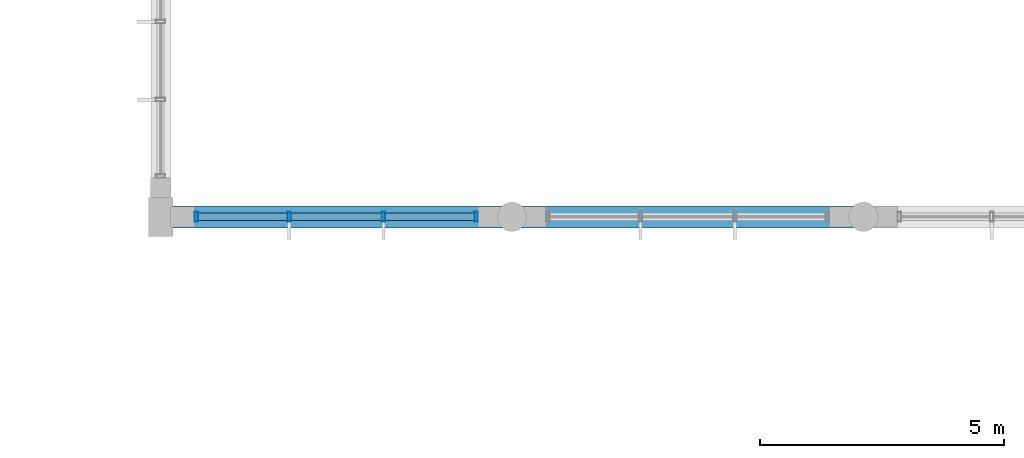
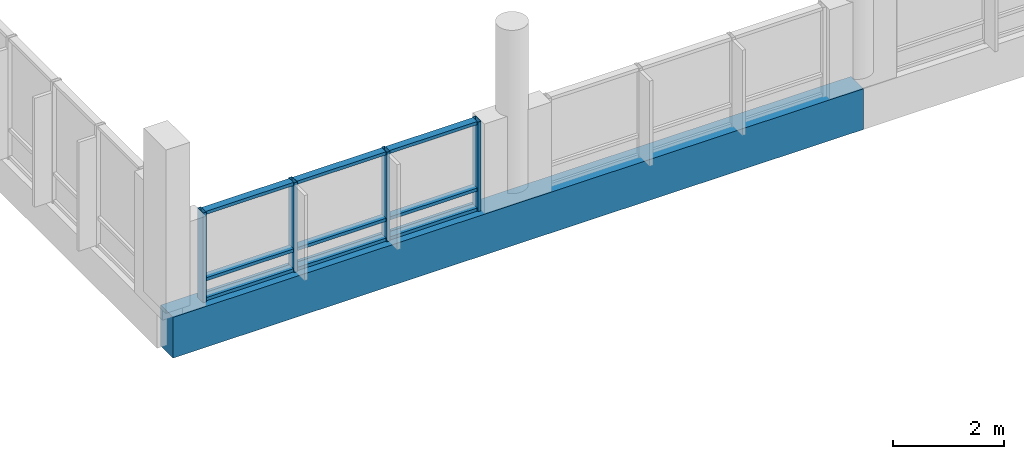
# One storey, part 21 of 189: 13 members, 1 beam, 1 element without a shape of its own.
"""IFC4 building model written with IfcOpenShell, lengths in metres."""

from ifc_helpers import new_model, si_unit, direction, frame, origin, origin_2d, place, context, subcontext, project, spatial, rectangle, hollow_rectangle, extrude, material, material_profile, profile_set, type_object, element, aggregate, save


model = new_model("IFC4")

# Units and contexts
model_context = context("Model", 3, precision=1e-05, world=origin(), true_north=direction((0.0, 1.0)))
body_context = subcontext(model_context, "Body", "Model", "MODEL_VIEW")
ifc_project = project(units=[si_unit("LENGTHUNIT", "METRE"), si_unit("AREAUNIT", "SQUARE_METRE"), si_unit("VOLUMEUNIT", "CUBIC_METRE"), si_unit("PLANEANGLEUNIT", "RADIAN"), si_unit("MASSUNIT", "GRAM", prefix="KILO")], contexts=[model_context])

# Site, building, storey
site_placement = place(None, origin())
site = spatial("IfcSite", under=ifc_project, at=site_placement, CompositionType="ELEMENT")
building_placement = place(site_placement, origin())
building = spatial("IfcBuilding", under=site, at=building_placement, Name="Zavelmont Quarter", CompositionType="ELEMENT")
storey_placement = place(building_placement, frame((0.0, 0.0, 4.39990234375)))
storey = spatial("IfcBuildingStorey", under=building, at=storey_placement, Name="L01", CompositionType="ELEMENT", Elevation=4.39990234375)

# Beam
ifc_material_1 = material(Name="Concrete C40/50", Category="concrete")
ifc_material_profile_1 = material_profile(ifc_material_1, rectangle(XDim=0.449951171875, YDim=0.89990234375, at=origin_2d()), Name="RC450X900")
ifc_profile_set_1 = profile_set([ifc_material_profile_1], Name="Concrete C40/50")
beam_type = type_object("IfcBeamType", Name="BM06", PredefinedType="BEAM", material=ifc_profile_set_1)
beam_placement = place(storey_placement, frame((55.199951171875, 30.0, -0.72998046875), z_axis=(1.0, 0.0, 0.0), x_axis=(0.0, 1.0, 0.0)))
element("IfcBeam", 1, at=beam_placement, inside=storey, type_object=beam_type, Name="L01 beam BM06 9/F to 11/F", PredefinedType="BEAM", context=body_context, shape_type="SweptSolid", body=[
    extrude(rectangle(XDim=0.449951171875, YDim=0.89990234375, at=origin_2d()), origin(), (0.0, 0.0, 1.0), 14.400146484375),
])

# Curtain wall, members
ifc_material_2 = material(Name="Thermally broken aluminium and double low-E safety glazing", Category="aluminium")
curtain_wall_type = type_object("IfcCurtainWallType", Name="CW-580X198", PredefinedType="NOTDEFINED", material=ifc_material_2)
curtain_wall_placement = place(storey_placement, origin())
curtain_wall = element("IfcCurtainWall", 2, at=curtain_wall_placement, inside=storey, type_object=curtain_wall_type, Name="L01 unitised curtain wall CW-580X198", PredefinedType="NOTDEFINED")
ifc_material_3 = material(Name="Powder-coated aluminium EN AW-6063-T6", Category="aluminium")
ifc_material_profile_2 = material_profile(ifc_material_3, hollow_rectangle(XDim=0.070068359375, YDim=0.199951171875, WallThickness=0.0048828125, at=origin_2d()), Name="CWM70X200")
ifc_profile_set_2 = profile_set([ifc_material_profile_2], Name="Powder-coated aluminium EN AW-6063-T6")
member_type_1 = type_object("IfcMemberType", Name="CWM02", PredefinedType="MULLION", material=ifc_profile_set_2)
member_1_placement = place(storey_placement, frame((55.93505859375, 30.0, -0.27978515625), z_axis=(0.0, 0.0, 1.0), x_axis=(1.0, 0.0, 0.0)))
member_1 = element("IfcMember", 3, at=member_1_placement, type_object=member_type_1, Name="CW-580X198 mullion 1", PredefinedType="MULLION", context=body_context, shape_type="SweptSolid", body=[
    extrude(hollow_rectangle(XDim=0.070068359375, YDim=0.199951171875, WallThickness=0.0048828125, at=origin_2d()), origin(), (0.0, 0.0, 1.0), 1.974853515625),
])
member_2_placement = place(storey_placement, frame((57.833251953125, 30.0, -0.27978515625), z_axis=(0.0, 0.0, 1.0), x_axis=(1.0, 0.0, 0.0)))
member_2 = element("IfcMember", 4, at=member_2_placement, type_object=member_type_1, Name="CW-580X198 mullion 2", PredefinedType="MULLION", context=body_context, shape_type="SweptSolid", body=[
    extrude(hollow_rectangle(XDim=0.070068359375, YDim=0.199951171875, WallThickness=0.0048828125, at=origin_2d()), origin(), (0.0, 0.0, 1.0), 1.974853515625),
])
member_3_placement = place(storey_placement, frame((59.7666015625, 30.0, -0.27978515625), z_axis=(0.0, 0.0, 1.0), x_axis=(1.0, 0.0, 0.0)))
member_3 = element("IfcMember", 5, at=member_3_placement, type_object=member_type_1, Name="CW-580X198 mullion 3", PredefinedType="MULLION", context=body_context, shape_type="SweptSolid", body=[
    extrude(hollow_rectangle(XDim=0.070068359375, YDim=0.199951171875, WallThickness=0.0048828125, at=origin_2d()), origin(), (0.0, 0.0, 1.0), 1.974853515625),
])
member_4_placement = place(storey_placement, frame((61.6650390625, 30.0, -0.27978515625), z_axis=(0.0, 0.0, 1.0), x_axis=(1.0, 0.0, 0.0)))
member_4 = element("IfcMember", 6, at=member_4_placement, type_object=member_type_1, Name="CW-580X198 mullion 4", PredefinedType="MULLION", context=body_context, shape_type="SweptSolid", body=[
    extrude(hollow_rectangle(XDim=0.070068359375, YDim=0.199951171875, WallThickness=0.0048828125, at=origin_2d()), origin(), (0.0, 0.0, 1.0), 1.974853515625),
])
ifc_material_profile_3 = material_profile(ifc_material_3, hollow_rectangle(XDim=0.14990234375, YDim=0.070068359375, WallThickness=0.00439453125, at=origin_2d()), Name="CWT70X150")
ifc_profile_set_3 = profile_set([ifc_material_profile_3], Name="Powder-coated aluminium EN AW-6063-T6")
member_type_2 = type_object("IfcMemberType", Name="CWT02", PredefinedType="NOTDEFINED", material=ifc_profile_set_3)
member_5_placement = place(storey_placement, frame((55.969970703125, 30.0, -0.244873046875), z_axis=(1.0, 0.0, 0.0), x_axis=(0.0, 1.0, 0.0)))
member_5 = element("IfcMember", 7, at=member_5_placement, type_object=member_type_2, Name="CW-580X198 transom 1.1", ObjectType="TRANSOM", PredefinedType="USERDEFINED", context=body_context, shape_type="SweptSolid", body=[
    extrude(hollow_rectangle(XDim=0.14990234375, YDim=0.070068359375, WallThickness=0.00439453125, at=origin_2d()), origin(), (0.0, 0.0, 1.0), 1.828369140625),
])
member_6_placement = place(storey_placement, frame((55.969970703125, 30.0, 0.194091796875), z_axis=(1.0, 0.0, 0.0), x_axis=(0.0, 1.0, 0.0)))
member_6 = element("IfcMember", 8, at=member_6_placement, type_object=member_type_2, Name="CW-580X198 transom 1.2", ObjectType="TRANSOM", PredefinedType="USERDEFINED", context=body_context, shape_type="SweptSolid", body=[
    extrude(hollow_rectangle(XDim=0.14990234375, YDim=0.070068359375, WallThickness=0.00439453125, at=origin_2d()), origin(), (0.0, 0.0, 1.0), 1.828369140625),
])
member_7_placement = place(storey_placement, frame((55.969970703125, 30.0, 1.66015625), z_axis=(1.0, 0.0, 0.0), x_axis=(0.0, 1.0, 0.0)))
member_7 = element("IfcMember", 9, at=member_7_placement, type_object=member_type_2, Name="CW-580X198 transom 1.3", ObjectType="TRANSOM", PredefinedType="USERDEFINED", context=body_context, shape_type="SweptSolid", body=[
    extrude(hollow_rectangle(XDim=0.14990234375, YDim=0.070068359375, WallThickness=0.00439453125, at=origin_2d()), origin(), (0.0, 0.0, 1.0), 1.828369140625),
])
member_8_placement = place(storey_placement, frame((57.868408203125, 30.0, -0.244873046875), z_axis=(1.0, 0.0, 0.0), x_axis=(0.0, 1.0, 0.0)))
member_8 = element("IfcMember", 10, at=member_8_placement, type_object=member_type_2, Name="CW-580X198 transom 2.1", ObjectType="TRANSOM", PredefinedType="USERDEFINED", context=body_context, shape_type="SweptSolid", body=[
    extrude(hollow_rectangle(XDim=0.14990234375, YDim=0.070068359375, WallThickness=0.00439453125, at=origin_2d()), origin(), (0.0, 0.0, 1.0), 1.86328125),
])
member_9_placement = place(storey_placement, frame((57.868408203125, 30.0, 0.194091796875), z_axis=(1.0, 0.0, 0.0), x_axis=(0.0, 1.0, 0.0)))
member_9 = element("IfcMember", 11, at=member_9_placement, type_object=member_type_2, Name="CW-580X198 transom 2.2", ObjectType="TRANSOM", PredefinedType="USERDEFINED", context=body_context, shape_type="SweptSolid", body=[
    extrude(hollow_rectangle(XDim=0.14990234375, YDim=0.070068359375, WallThickness=0.00439453125, at=origin_2d()), origin(), (0.0, 0.0, 1.0), 1.86328125),
])
member_10_placement = place(storey_placement, frame((57.868408203125, 30.0, 1.66015625), z_axis=(1.0, 0.0, 0.0), x_axis=(0.0, 1.0, 0.0)))
member_10 = element("IfcMember", 12, at=member_10_placement, type_object=member_type_2, Name="CW-580X198 transom 2.3", ObjectType="TRANSOM", PredefinedType="USERDEFINED", context=body_context, shape_type="SweptSolid", body=[
    extrude(hollow_rectangle(XDim=0.14990234375, YDim=0.070068359375, WallThickness=0.00439453125, at=origin_2d()), origin(), (0.0, 0.0, 1.0), 1.86328125),
])
member_11_placement = place(storey_placement, frame((59.8017578125, 30.0, -0.244873046875), z_axis=(1.0, 0.0, 0.0), x_axis=(0.0, 1.0, 0.0)))
member_11 = element("IfcMember", 13, at=member_11_placement, type_object=member_type_2, Name="CW-580X198 transom 3.1", ObjectType="TRANSOM", PredefinedType="USERDEFINED", context=body_context, shape_type="SweptSolid", body=[
    extrude(hollow_rectangle(XDim=0.14990234375, YDim=0.070068359375, WallThickness=0.00439453125, at=origin_2d()), origin(), (0.0, 0.0, 1.0), 1.828125),
])
member_12_placement = place(storey_placement, frame((59.8017578125, 30.0, 0.194091796875), z_axis=(1.0, 0.0, 0.0), x_axis=(0.0, 1.0, 0.0)))
member_12 = element("IfcMember", 14, at=member_12_placement, type_object=member_type_2, Name="CW-580X198 transom 3.2", ObjectType="TRANSOM", PredefinedType="USERDEFINED", context=body_context, shape_type="SweptSolid", body=[
    extrude(hollow_rectangle(XDim=0.14990234375, YDim=0.070068359375, WallThickness=0.00439453125, at=origin_2d()), origin(), (0.0, 0.0, 1.0), 1.828125),
])
member_13_placement = place(storey_placement, frame((59.8017578125, 30.0, 1.66015625), z_axis=(1.0, 0.0, 0.0), x_axis=(0.0, 1.0, 0.0)))
member_13 = element("IfcMember", 15, at=member_13_placement, type_object=member_type_2, Name="CW-580X198 transom 3.3", ObjectType="TRANSOM", PredefinedType="USERDEFINED", context=body_context, shape_type="SweptSolid", body=[
    extrude(hollow_rectangle(XDim=0.14990234375, YDim=0.070068359375, WallThickness=0.00439453125, at=origin_2d()), origin(), (0.0, 0.0, 1.0), 1.828125),
])
aggregate(curtain_wall, [member_1, member_2, member_3, member_4, member_5, member_6, member_7, member_8, member_9, member_10, member_11, member_12, member_13])

save(model, "model.ifc")
